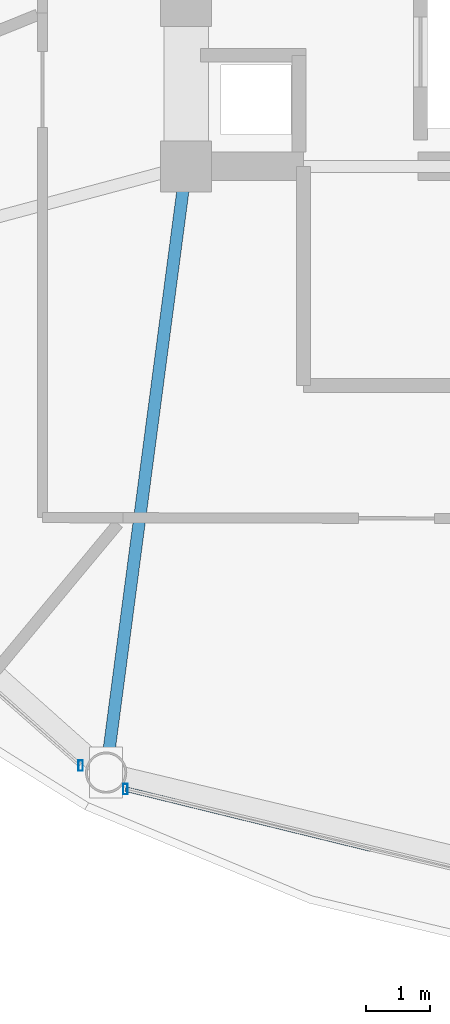
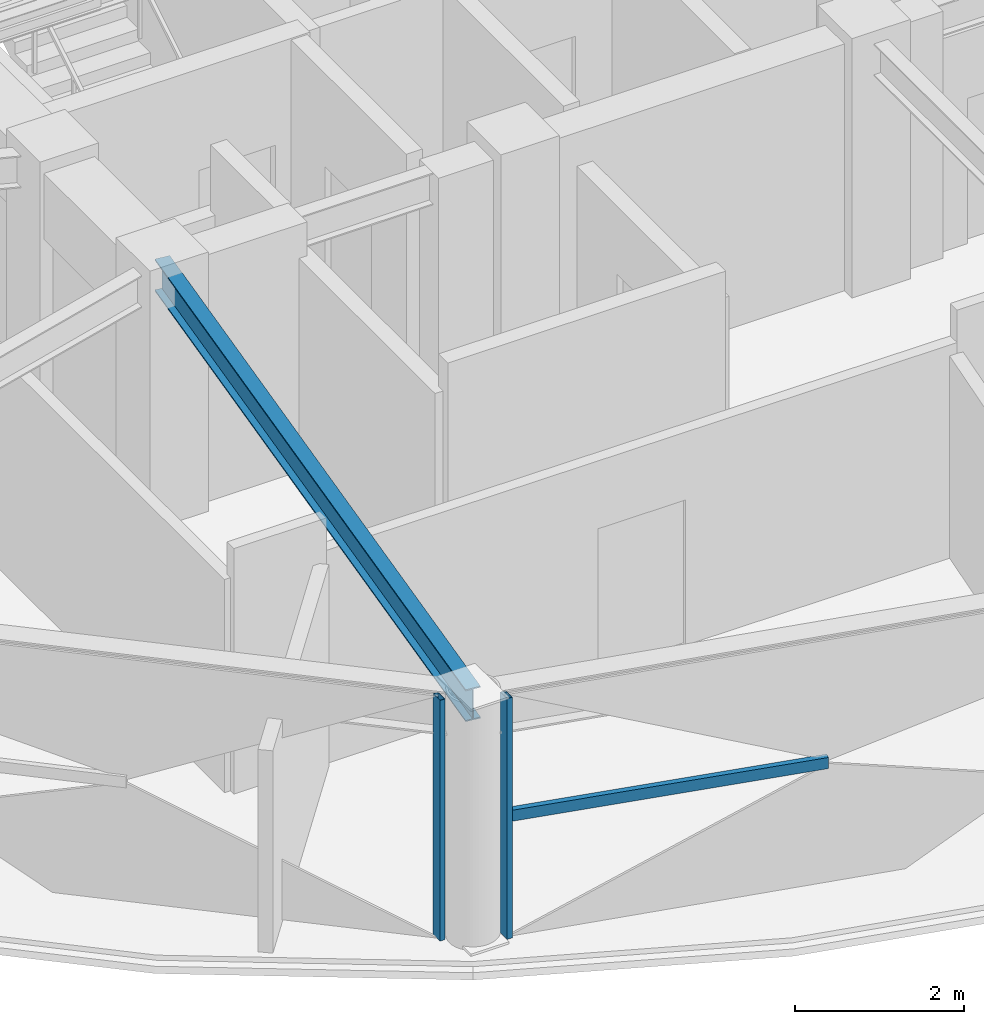
# One storey, part 2 of 28: 3 members, 1 beam, 2 elements without a shape of their own.
"""IFC4 building model written with IfcOpenShell, lengths in metres."""

from ifc_helpers import new_model, si_unit, direction, frame, origin, origin_2d, place, context, subcontext, project, spatial, hollow_rectangle, i_section, extrude, material, layer, layer_set, material_profile, profile_set, type_object, element, aggregate, save


model = new_model("IFC4")

# Units and contexts
model_context = context("Model", 3, precision=1e-05, world=origin(), true_north=direction((0.0, 1.0)))
body_context = subcontext(model_context, "Body", "Model", "MODEL_VIEW")
ifc_project = project(units=[si_unit("LENGTHUNIT", "METRE"), si_unit("AREAUNIT", "SQUARE_METRE"), si_unit("VOLUMEUNIT", "CUBIC_METRE"), si_unit("PLANEANGLEUNIT", "RADIAN"), si_unit("MASSUNIT", "GRAM", prefix="KILO")], contexts=[model_context])

# Site, building, storey
site_placement = place(None, origin())
site = spatial("IfcSite", under=ifc_project, at=site_placement, CompositionType="ELEMENT")
building_placement = place(site_placement, origin())
building = spatial("IfcBuilding", under=site, at=building_placement, Name="Vantalir Tower", CompositionType="ELEMENT")
storey_placement = place(building_placement, frame((0.0, 0.0, 246.14990234375)))
storey = spatial("IfcBuildingStorey", under=building, at=storey_placement, Name="L62", CompositionType="ELEMENT", Elevation=246.14990234375)

# Beam
ifc_material_1 = material(Name="Steel S355", Category="steel")
ifc_material_profile_1 = material_profile(ifc_material_1, i_section(OverallWidth=0.19189453125, OverallDepth=0.462890625, WebThickness=0.010498046875, FlangeThickness=0.017578125, at=origin_2d()), Name="Steel S355")
ifc_profile_set_1 = profile_set([ifc_material_profile_1], Name="Steel S355")
beam_type = type_object("IfcBeamType", Name="BM-RB-457x191", PredefinedType="BEAM", material=ifc_profile_set_1)
beam_placement = place(storey_placement, frame((20.64111328125, 8.257080078125, 3.338134765625), z_axis=(0.130774684438, 0.991412115071, 0.0), x_axis=(-0.991412115071, 0.130774684438, 0.0)))
element("IfcBeam", 1, at=beam_placement, inside=storey, type_object=beam_type, Name="L62 Radial Floor Beam 09", PredefinedType="BEAM", context=body_context, shape_type="SweptSolid", body=[
    extrude(i_section(OverallWidth=0.19189453125, OverallDepth=0.462890625, WebThickness=0.010498046875, FlangeThickness=0.017578125, at=origin_2d()), origin(), (0.0, 0.0, 1.0), 9.625732421875),
])

# Curtain wall, member
ifc_material_2 = material(Name="Champagne-silver PVDF aluminium and double-silver Low-E glass", Category="aluminium")
ifc_layer = layer(ifc_material_2, 0.2099609375)
ifc_layer_set = layer_set([ifc_layer], Name="Champagne-silver PVDF aluminium and double-silver Low-E glass")
curtain_wall_type = type_object("IfcCurtainWallType", Name="CW-DIAMOND-Z3", PredefinedType="USERDEFINED", material=ifc_layer_set)
curtain_wall_1_placement = place(storey_placement, origin())
curtain_wall_1 = element("IfcCurtainWall", 2, at=curtain_wall_1_placement, inside=storey, type_object=curtain_wall_type, Name="L62 Quilted Pyramid-Diamond Curtain Wall S08", ObjectType="UNITISED CURTAIN WALL", PredefinedType="USERDEFINED")
ifc_material_3 = material(Name="Champagne-silver PVDF aluminium 6063-T6", Category="aluminium")
ifc_material_profile_2 = material_profile(ifc_material_3, hollow_rectangle(XDim=0.070068359375, YDim=0.1650390625, WallThickness=0.00390625, at=origin_2d()), Name="Champagne-silver PVDF aluminium 6063-T6")
ifc_profile_set_2 = profile_set([ifc_material_profile_2], Name="Champagne-silver PVDF aluminium 6063-T6")
member_type_1 = type_object("IfcMemberType", Name="CWM-165x70", PredefinedType="MULLION", material=ifc_profile_set_2)
member_1_placement = place(storey_placement, frame((20.239990234375, 8.365966796875, 0.045166015625), z_axis=(0.0, 0.0, 1.0), x_axis=(1.0, 0.0, 0.0)))
member_1 = element("IfcMember", 3, at=member_1_placement, type_object=member_type_1, Name="CW-L62-S08 Mullion 2", PredefinedType="MULLION", context=body_context, shape_type="SweptSolid", body=[
    extrude(hollow_rectangle(XDim=0.070068359375, YDim=0.1650390625, WallThickness=0.00390625, at=origin_2d()), origin(), (0.0, 0.0, 1.0), 3.47998046875),
])
aggregate(curtain_wall_1, [member_1])

# Curtain wall, members
curtain_wall_2_placement = place(storey_placement, origin())
curtain_wall_2 = element("IfcCurtainWall", 4, at=curtain_wall_2_placement, inside=storey, type_object=curtain_wall_type, Name="L62 Quilted Pyramid-Diamond Curtain Wall S09", ObjectType="UNITISED CURTAIN WALL", PredefinedType="USERDEFINED")
member_2_placement = place(storey_placement, frame((20.945068359375, 7.998046875, 0.045166015625), z_axis=(0.0, 0.0, 1.0), x_axis=(1.0, 0.0, 0.0)))
member_2 = element("IfcMember", 5, at=member_2_placement, type_object=member_type_1, Name="CW-L62-S09 Mullion 1", PredefinedType="MULLION", context=body_context, shape_type="SweptSolid", body=[
    extrude(hollow_rectangle(XDim=0.070068359375, YDim=0.1650390625, WallThickness=0.00390625, at=origin_2d()), origin(), (0.0, 0.0, 1.0), 3.47998046875),
])
ifc_material_profile_3 = material_profile(ifc_material_3, hollow_rectangle(XDim=0.074951171875, YDim=0.159912109375, WallThickness=0.00390625, at=origin_2d()), Name="Champagne-silver PVDF aluminium 6063-T6")
ifc_profile_set_3 = profile_set([ifc_material_profile_3], Name="Champagne-silver PVDF aluminium 6063-T6")
member_type_2 = type_object("IfcMemberType", Name="CWT-160x75", PredefinedType="USERDEFINED", material=ifc_profile_set_3)
member_3_placement = place(storey_placement, frame((20.945068359375, 7.998046875, 1.78515625), z_axis=(0.971237180584, -0.238114130306, 0.0), x_axis=(0.238114130306, 0.971237180584, 0.0)))
member_3 = element("IfcMember", 6, at=member_3_placement, type_object=member_type_2, Name="CW-L62-S09 Pyramid Fold Ridge Transom", ObjectType="TRANSOM", PredefinedType="USERDEFINED", context=body_context, shape_type="SweptSolid", body=[
    extrude(hollow_rectangle(XDim=0.074951171875, YDim=0.159912109375, WallThickness=0.00390625, at=origin_2d()), origin(), (0.0, 0.0, 1.0), 3.96484375),
])
aggregate(curtain_wall_2, [member_2, member_3])

save(model, "model.ifc")
